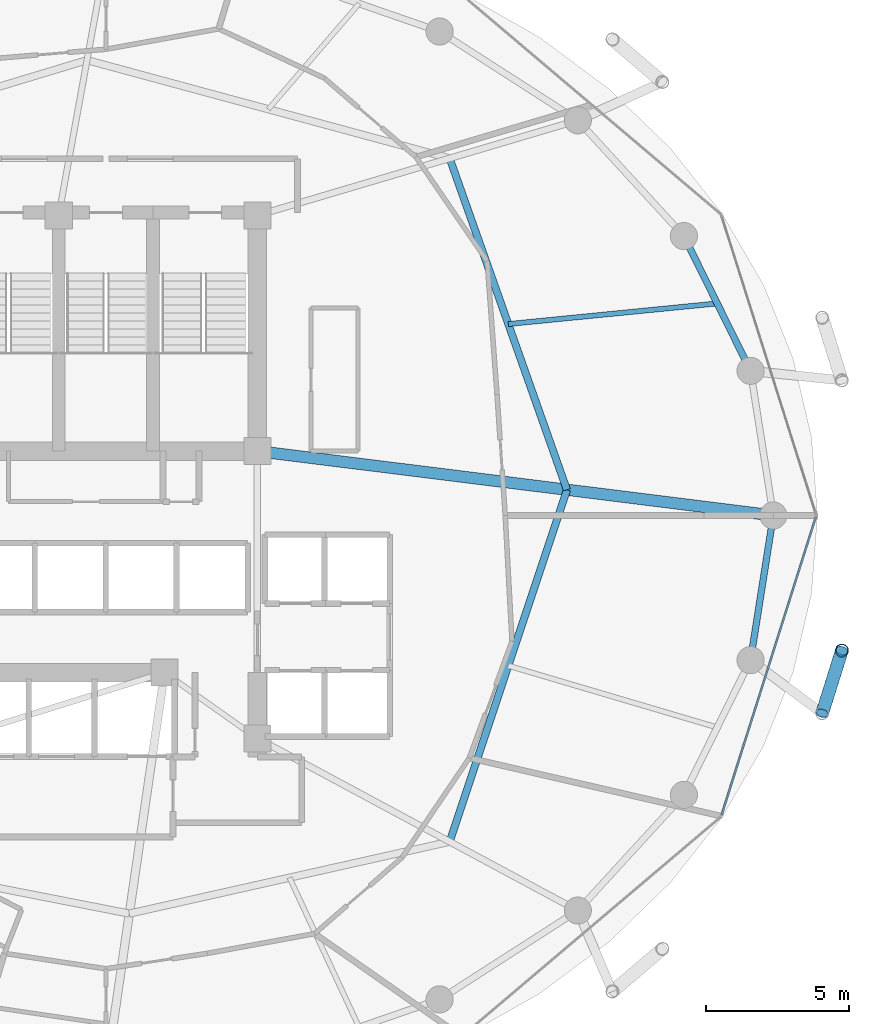
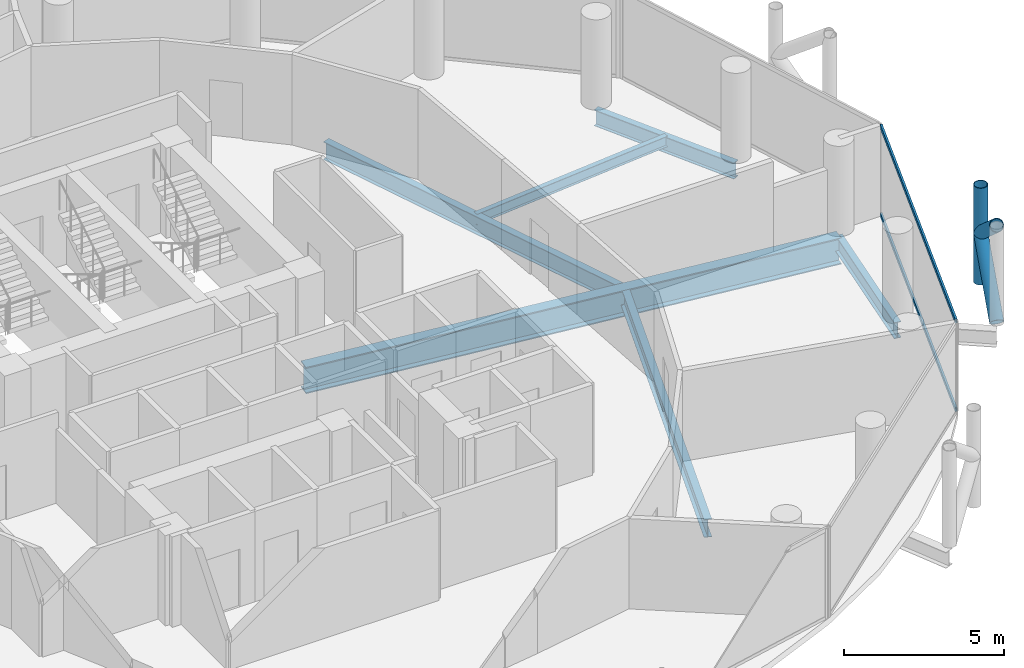
# One storey, part 11 of 26: 6 beams, 5 members, 1 element without a shape of its own.
"""IFC4 building model written with IfcOpenShell, lengths in metres."""

from ifc_helpers import new_model, si_unit, direction, frame, origin, origin_2d, place, context, subcontext, project, spatial, hollow_rectangle, hollow_circle, i_section, extrude, material, layer, layer_set, material_profile, profile_set, type_object, element, aggregate, save


model = new_model("IFC4")

# Units and contexts
model_context = context("Model", 3, precision=1e-05, world=origin(), true_north=direction((0.0, 1.0)))
body_context = subcontext(model_context, "Body", "Model", "MODEL_VIEW")
ifc_project = project(units=[si_unit("LENGTHUNIT", "METRE"), si_unit("AREAUNIT", "SQUARE_METRE"), si_unit("VOLUMEUNIT", "CUBIC_METRE"), si_unit("PLANEANGLEUNIT", "RADIAN"), si_unit("MASSUNIT", "GRAM", prefix="KILO")], contexts=[model_context])

# Site, building, storey
site_placement = place(None, origin())
site = spatial("IfcSite", under=ifc_project, at=site_placement, CompositionType="ELEMENT")
building_placement = place(site_placement, origin())
building = spatial("IfcBuilding", under=site, at=building_placement, Name="Nuhasar Tower", CompositionType="ELEMENT")
storey_placement = place(building_placement, frame((0.0, 0.0, 155.25)))
storey = spatial("IfcBuildingStorey", under=building, at=storey_placement, Name="L37", CompositionType="ELEMENT", Elevation=155.25)

# Beams
ifc_material_1 = material(Name="Steel S355", Category="steel")
ifc_material_profile_1 = material_profile(ifc_material_1, i_section(OverallWidth=0.25390625, OverallDepth=0.68408203125, WebThickness=0.012451171875, FlangeThickness=0.018798828125, at=origin_2d()), Name="W27X94")
ifc_profile_set_1 = profile_set([ifc_material_profile_1], Name="Steel S355")
beam_type_1 = type_object("IfcBeamType", Name="BM-INRING-W27X94", PredefinedType="BEAM", material=ifc_profile_set_1)
beam_1_placement = place(storey_placement, frame((51.027099609375, 15.385986328125, -0.592041015625), z_axis=(0.31609797573, 0.948726551615, 0.0), x_axis=(-0.948726551615, 0.31609797573, 0.0)))
element("IfcBeam", 1, at=beam_1_placement, inside=storey, type_object=beam_type_1, Name="L37 Inner Header Beam 03", PredefinedType="BEAM", context=body_context, shape_type="SweptSolid", body=[
    extrude(i_section(OverallWidth=0.25390625, OverallDepth=0.68408203125, WebThickness=0.012451171875, FlangeThickness=0.018798828125, at=origin_2d()), origin(), (0.0, 0.0, 1.0), 12.9794921875),
])
beam_2_placement = place(storey_placement, frame((55.1298828125, 27.699951171875, -0.592041015625), z_axis=(-0.333599821096, 0.942714781556, 0.0), x_axis=(-0.942714781556, -0.333599821096, 0.0)))
element("IfcBeam", 2, at=beam_2_placement, inside=storey, type_object=beam_type_1, Name="L37 Inner Header Beam 04", PredefinedType="BEAM", context=body_context, shape_type="SweptSolid", body=[
    extrude(i_section(OverallWidth=0.25390625, OverallDepth=0.68408203125, WebThickness=0.012451171875, FlangeThickness=0.018798828125, at=origin_2d()), origin(), (0.0, 0.0, 1.0), 12.298583984375),
])
ifc_material_profile_2 = material_profile(ifc_material_1, i_section(OverallWidth=0.177978515625, OverallDepth=0.406005859375, WebThickness=0.0078125, FlangeThickness=0.0126953125, at=origin_2d()), Name="W16X40")
ifc_profile_set_2 = profile_set([ifc_material_profile_2], Name="Steel S355")
beam_type_2 = type_object("IfcBeamType", Name="BM-JST-W16X40", PredefinedType="JOIST", material=ifc_profile_set_2)
beam_3_placement = place(storey_placement, frame((53.0791015625, 33.4970703125, -0.452880859375), z_axis=(0.995170244515, 0.098164068947, 0.0), x_axis=(-0.098164068947, 0.995170244515, 0.0)))
element("IfcBeam", 3, at=beam_3_placement, inside=storey, type_object=beam_type_2, Name="L37 Secondary Floor Joist 04", PredefinedType="JOIST", context=body_context, shape_type="SweptSolid", body=[
    extrude(i_section(OverallWidth=0.177978515625, OverallDepth=0.406005859375, WebThickness=0.0078125, FlangeThickness=0.0126953125, at=origin_2d()), origin(), (0.0, 0.0, 1.0), 7.34423828125),
])
ifc_material_profile_3 = material_profile(ifc_material_1, i_section(OverallWidth=0.22998046875, OverallDepth=0.616943359375, WebThickness=0.01318359375, FlangeThickness=0.022216796875, at=origin_2d()), Name="W24X94")
ifc_profile_set_3 = profile_set([ifc_material_profile_3], Name="Steel S355")
beam_type_3 = type_object("IfcBeamType", Name="BM-RING-W24X94", PredefinedType="SPANDREL", material=ifc_profile_set_3)
beam_4_placement = place(storey_placement, frame((61.553955078125, 31.860107421875, -0.55908203125), z_axis=(-0.443347771709, 0.896349682501, 0.0), x_axis=(-0.896349682501, -0.443347771709, 0.0)))
element("IfcBeam", 4, at=beam_4_placement, inside=storey, type_object=beam_type_3, Name="L37 Perimeter Ring Spandrel 02", PredefinedType="SPANDREL", context=body_context, shape_type="SweptSolid", body=[
    extrude(i_section(OverallWidth=0.22998046875, OverallDepth=0.616943359375, WebThickness=0.01318359375, FlangeThickness=0.022216796875, at=origin_2d()), origin(), (0.0, 0.0, 1.0), 5.260009765625),
])
beam_5_placement = place(storey_placement, frame((61.553955078125, 21.739990234375, -0.55908203125), z_axis=(0.155426543608, 0.987847452566, 0.0), x_axis=(-0.987847452566, 0.155426543608, 0.0)))
element("IfcBeam", 5, at=beam_5_placement, inside=storey, type_object=beam_type_3, Name="L37 Perimeter Ring Spandrel 24", PredefinedType="SPANDREL", context=body_context, shape_type="SweptSolid", body=[
    extrude(i_section(OverallWidth=0.22998046875, OverallDepth=0.616943359375, WebThickness=0.01318359375, FlangeThickness=0.022216796875, at=origin_2d()), origin(), (0.0, 0.0, 1.0), 5.122314453125),
])
ifc_material_2 = material(Name="Steel S460", Category="steel")
ifc_material_profile_4 = material_profile(ifc_material_2, i_section(OverallWidth=0.40087890625, OverallDepth=1.010009765625, WebThickness=0.023681640625, FlangeThickness=0.0419921875, at=origin_2d()), Name="W40X297")
ifc_profile_set_4 = profile_set([ifc_material_profile_4], Name="Steel S460")
beam_type_4 = type_object("IfcBeamType", Name="BM-XFER-W40X297", PredefinedType="USERDEFINED", material=ifc_profile_set_4)
beam_6_placement = place(storey_placement, frame((44.300048828125, 29.050048828125, -0.7548828125), z_axis=(0.992320149485, -0.123696082908, 0.0), x_axis=(0.123696082908, 0.992320149485, 0.0)))
element("IfcBeam", 6, at=beam_6_placement, inside=storey, type_object=beam_type_4, Name="L37 Radial Floor Girder 04", ObjectType="GIRDER", PredefinedType="USERDEFINED", context=body_context, shape_type="SweptSolid", body=[
    extrude(i_section(OverallWidth=0.40087890625, OverallDepth=1.010009765625, WebThickness=0.023681640625, FlangeThickness=0.0419921875, at=origin_2d()), origin(), (0.0, 0.0, 1.0), 18.189697265625),
])

# Curtain wall, members
ifc_material_3 = material(Name="Aluminium 6063-T6", Category="aluminium")
ifc_layer = layer(ifc_material_3, 0.199951171875)
ifc_layer_set = layer_set([ifc_layer], Name="Aluminium 6063-T6")
curtain_wall_type = type_object("IfcCurtainWallType", Name="CW-Z2-HTL", PredefinedType="NOTDEFINED", material=ifc_layer_set)
curtain_wall_placement = place(storey_placement, origin())
curtain_wall = element("IfcCurtainWall", 7, at=curtain_wall_placement, inside=storey, type_object=curtain_wall_type, Name="L37 Unitised Curtain Wall 12", PredefinedType="NOTDEFINED")
ifc_material_profile_5 = material_profile(ifc_material_3, hollow_rectangle(XDim=0.070068359375, YDim=0.159912109375, WallThickness=0.00439453125, at=origin_2d()), Name="CWT-3")
ifc_profile_set_5 = profile_set([ifc_material_profile_5], Name="Aluminium 6063-T6")
member_type_1 = type_object("IfcMemberType", Name="CW-TRN-S3", PredefinedType="USERDEFINED", material=ifc_profile_set_5)
member_1_placement = place(storey_placement, frame((60.550048828125, 16.336669921875, 0.034912109375), z_axis=(0.301608163352, 0.953431967053, 0.0), x_axis=(-0.953431967053, 0.301608163352, 0.0)))
member_1 = element("IfcMember", 8, at=member_1_placement, type_object=member_type_1, Name="CW-Z2 transom 1.1", ObjectType="TRANSOM", PredefinedType="USERDEFINED", context=body_context, shape_type="SweptSolid", body=[
    extrude(hollow_rectangle(XDim=0.070068359375, YDim=0.159912109375, WallThickness=0.00439453125, at=origin_2d()), origin(), (0.0, 0.0, 1.0), 10.904296875),
])
member_2_placement = place(storey_placement, frame((60.550048828125, 16.336669921875, 3.4150390625), z_axis=(0.301608163352, 0.953431967053, 0.0), x_axis=(-0.953431967053, 0.301608163352, 0.0)))
member_2 = element("IfcMember", 9, at=member_2_placement, type_object=member_type_1, Name="CW-Z2 transom 1.2", ObjectType="TRANSOM", PredefinedType="USERDEFINED", context=body_context, shape_type="SweptSolid", body=[
    extrude(hollow_rectangle(XDim=0.070068359375, YDim=0.159912109375, WallThickness=0.00439453125, at=origin_2d()), origin(), (0.0, 0.0, 1.0), 10.904296875),
])
aggregate(curtain_wall, [member_1, member_2])

# Members
ifc_material_profile_6 = material_profile(ifc_material_2, hollow_circle(Radius=0.228515625, WallThickness=0.022216796875, at=origin_2d()), Name="HSS457X22.2")
ifc_profile_set_6 = profile_set([ifc_material_profile_6], Name="Steel S460")
member_type_2 = type_object("IfcMemberType", Name="EXO-BRONZE-457", PredefinedType="BRACE", material=ifc_profile_set_6)
member_3_placement = place(storey_placement, frame((64.748046875, 22.073974609375, 0.0), z_axis=(0.0, 0.0, 1.0), x_axis=(1.0, 0.0, 0.0)))
element("IfcMember", 10, at=member_3_placement, inside=storey, type_object=member_type_2, Name="L37 Exoskeleton Chord Column EC-12B", PredefinedType="BRACE", context=body_context, shape_type="SweptSolid", body=[
    extrude(hollow_circle(Radius=0.228515625, WallThickness=0.022216796875, at=origin_2d()), origin(), (0.0, 0.0, 1.0), 3.699951171875),
])
member_4_placement = place(storey_placement, frame((64.06005859375, 19.87890625, 0.0), z_axis=(0.233055548538, 0.743577869731, 0.626719285599), x_axis=(-0.954228474306, 0.29907861646, 0.0)))
element("IfcMember", 11, at=member_4_placement, inside=storey, type_object=member_type_2, Name="L37 Bronze Diagrid Brace W1-12", PredefinedType="BRACE", context=body_context, shape_type="SweptSolid", body=[
    extrude(hollow_circle(Radius=0.228515625, WallThickness=0.022216796875, at=origin_2d()), origin(), (0.0, 0.0, 1.0), 2.9521484375),
])
member_5_placement = place(storey_placement, frame((64.748046875, 22.073974609375, 1.85009765625), z_axis=(-0.233067628236, -0.74361641074, 0.626669062861), x_axis=(0.954228474306, -0.29907861646, 0.0)))
element("IfcMember", 12, at=member_5_placement, inside=storey, type_object=member_type_2, Name="L37 Bronze Diagrid Brace W2-12", PredefinedType="BRACE", context=body_context, shape_type="SweptSolid", body=[
    extrude(hollow_circle(Radius=0.228515625, WallThickness=0.022216796875, at=origin_2d()), origin(), (0.0, 0.0, 1.0), 2.951904296875),
])

save(model, "model.ifc")
